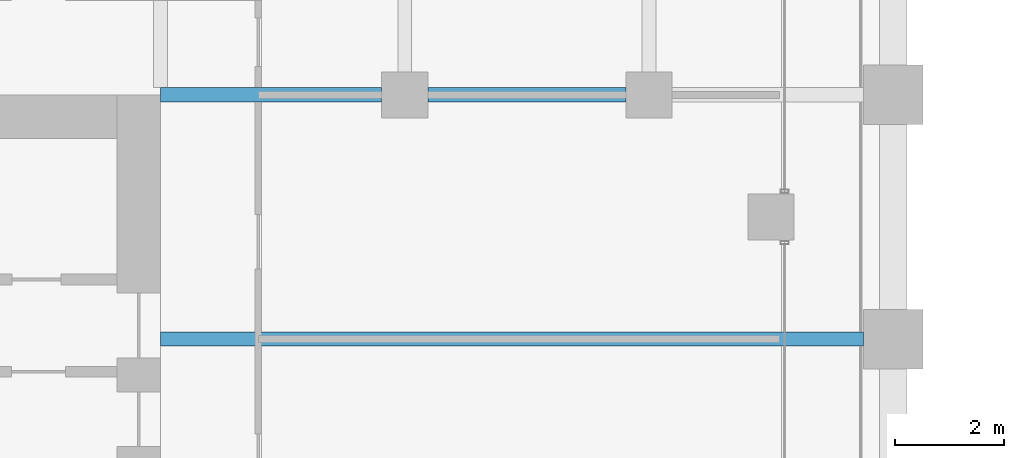
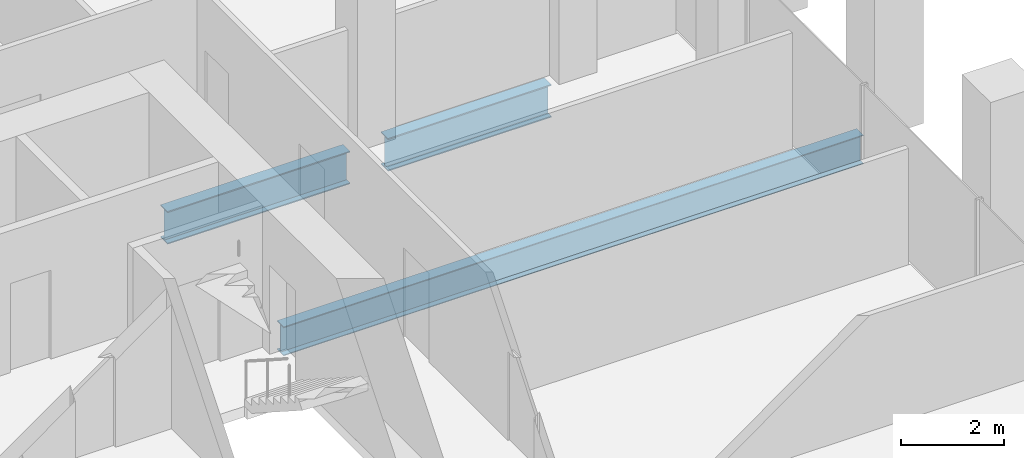
# One storey, part 21 of 56: 3 beams.
"""IFC4 building model written with IfcOpenShell, lengths in metres."""

from ifc_helpers import new_model, si_unit, direction, frame, origin, origin_2d, place, context, subcontext, project, spatial, i_section, extrude, material, material_profile, profile_set, type_object, element, save


model = new_model("IFC4")

# Units and contexts
model_context = context("Model", 3, precision=1e-05, world=origin(), true_north=direction((0.0, 1.0)))
body_context = subcontext(model_context, "Body", "Model", "MODEL_VIEW")
ifc_project = project(units=[si_unit("LENGTHUNIT", "METRE"), si_unit("AREAUNIT", "SQUARE_METRE"), si_unit("VOLUMEUNIT", "CUBIC_METRE"), si_unit("PLANEANGLEUNIT", "RADIAN"), si_unit("MASSUNIT", "GRAM", prefix="KILO")], contexts=[model_context])

# Site, building, storey
site_placement = place(None, origin())
site = spatial("IfcSite", under=ifc_project, at=site_placement, CompositionType="ELEMENT")
building_placement = place(site_placement, origin())
building = spatial("IfcBuilding", under=site, at=building_placement, Name="Altepetl Exchange Towers", CompositionType="ELEMENT")
storey_placement = place(building_placement, frame((0.0, 0.0, 76.199951171875)))
storey = spatial("IfcBuildingStorey", under=building, at=storey_placement, Name="L18", CompositionType="ELEMENT", Elevation=76.199951171875)

# Beams
ifc_material = material(Name="Steel S355", Category="steel")
ifc_material_profile_1 = material_profile(ifc_material, i_section(OverallWidth=0.25390625, OverallDepth=0.68408203125, WebThickness=0.012451171875, FlangeThickness=0.018798828125, at=origin_2d()), Name="W27X94")
ifc_profile_set_1 = profile_set([ifc_material_profile_1], Name="Steel S355")
beam_type_1 = type_object("IfcBeamType", Name="Floor beam W27X94", PredefinedType="BEAM", material=ifc_profile_set_1)
beam_1_placement = place(storey_placement, frame((58.5, 54.0, -0.491943359375), z_axis=(1.0, 0.0, 0.0), x_axis=(0.0, 1.0, 0.0)))
element("IfcBeam", 1, at=beam_1_placement, inside=storey, type_object=beam_type_1, Name="bm:A:L18:011", PredefinedType="BEAM", context=body_context, shape_type="SweptSolid", body=[
    extrude(i_section(OverallWidth=0.25390625, OverallDepth=0.68408203125, WebThickness=0.012451171875, FlangeThickness=0.018798828125, at=origin_2d()), origin(), (0.0, 0.0, 1.0), 12.949951171875),
])
ifc_material_profile_2 = material_profile(ifc_material, i_section(OverallWidth=0.26806640625, OverallDepth=0.77392578125, WebThickness=0.015380859375, FlangeThickness=0.025390625, at=origin_2d()), Name="W30X132")
ifc_profile_set_2 = profile_set([ifc_material_profile_2], Name="Steel S355")
beam_type_2 = type_object("IfcBeamType", Name="Girder W30X132", PredefinedType="BEAM", material=ifc_profile_set_2)
beam_2_placement = place(storey_placement, frame((58.5, 58.5, -0.536865234375), z_axis=(1.0, 0.0, 0.0), x_axis=(0.0, 1.0, 0.0)))
element("IfcBeam", 2, at=beam_2_placement, inside=storey, type_object=beam_type_2, Name="gd:A:L18:000", PredefinedType="BEAM", context=body_context, shape_type="SweptSolid", body=[
    extrude(i_section(OverallWidth=0.26806640625, OverallDepth=0.77392578125, WebThickness=0.015380859375, FlangeThickness=0.025390625, at=origin_2d()), origin(), (0.0, 0.0, 1.0), 4.074951171875),
])
beam_3_placement = place(storey_placement, frame((63.425048828125, 58.5, -0.536865234375), z_axis=(1.0, 0.0, 0.0), x_axis=(0.0, 1.0, 0.0)))
element("IfcBeam", 3, at=beam_3_placement, inside=storey, type_object=beam_type_2, Name="gd:A:L18:001", PredefinedType="BEAM", context=body_context, shape_type="SweptSolid", body=[
    extrude(i_section(OverallWidth=0.26806640625, OverallDepth=0.77392578125, WebThickness=0.015380859375, FlangeThickness=0.025390625, at=origin_2d()), origin(), (0.0, 0.0, 1.0), 3.64990234375),
])

save(model, "model.ifc")
